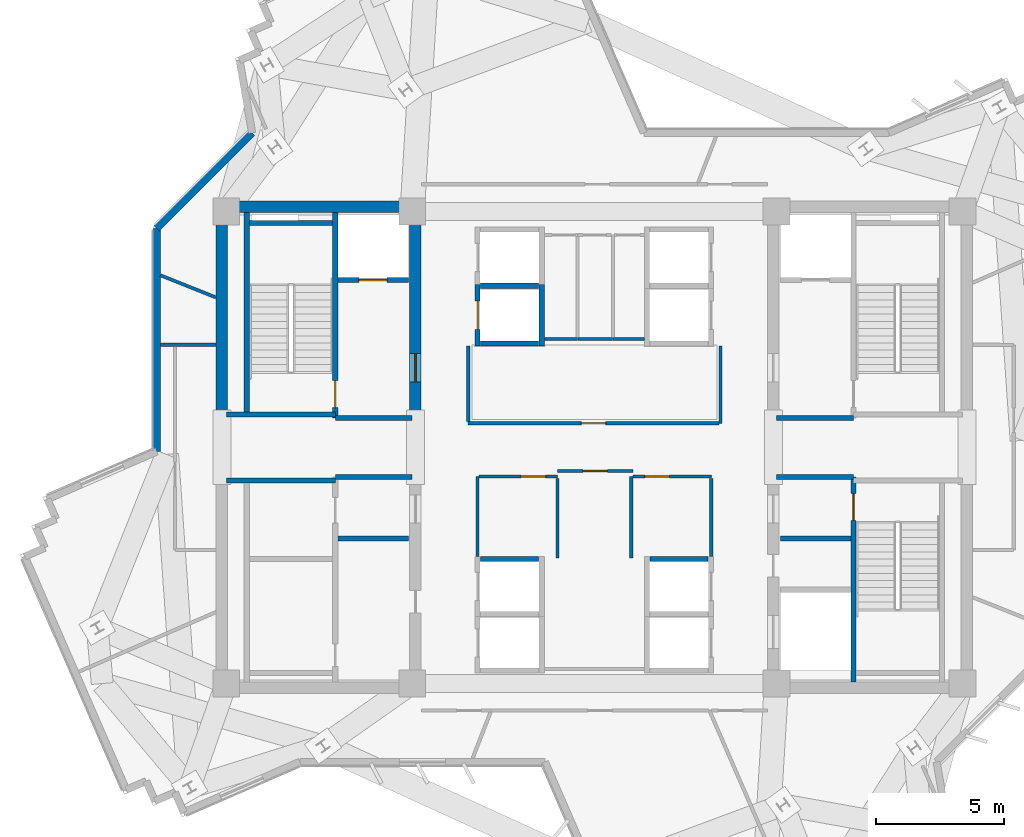
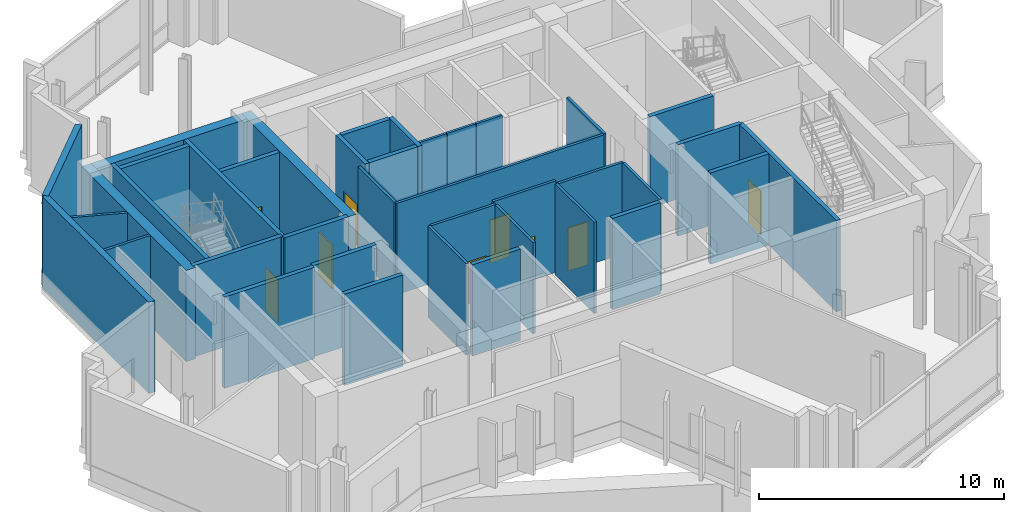
# One storey, part 6 of 11: 39 walls, 9 doors, 9 openings.
"""IFC4 building model written with IfcOpenShell, lengths in metres."""

from ifc_helpers import new_model, si_unit, direction, frame, frame_2d, origin, place, context, subcontext, project, spatial, rectangle, extrude, source, transform, mapped, material, layer, layer_set, type_object, element, fill, save


model = new_model("IFC4")

# Units and contexts
model_context = context("Model", 3, precision=1e-05, world=origin(), true_north=direction((0.0, 1.0)))
body_context = subcontext(model_context, "Body", "Model", "MODEL_VIEW")
ifc_project = project(units=[si_unit("LENGTHUNIT", "METRE"), si_unit("AREAUNIT", "SQUARE_METRE"), si_unit("VOLUMEUNIT", "CUBIC_METRE"), si_unit("PLANEANGLEUNIT", "RADIAN"), si_unit("MASSUNIT", "GRAM", prefix="KILO")], contexts=[model_context])

# Site, building, storey
site_placement = place(None, origin())
site = spatial("IfcSite", under=ifc_project, at=site_placement, CompositionType="ELEMENT")
building_placement = place(site_placement, origin())
building = spatial("IfcBuilding", under=site, at=building_placement, Name="Zahravan Cultural Tower", CompositionType="ELEMENT")
storey_placement = place(building_placement, frame((0.0, 0.0, 234.300048828125)))
storey = spatial("IfcBuildingStorey", under=building, at=storey_placement, Name="L55", CompositionType="ELEMENT", Elevation=234.300048828125)

# Wall, opening, door
ifc_material_1 = material(Name="Concrete C50/60", Category="concrete")
ifc_layer_1 = layer(ifc_material_1, 0.449951171875)
ifc_layer_set_1 = layer_set([ifc_layer_1], Name="Concrete C50/60")
wall_type_1 = type_object("IfcWallType", Name="CW-SHEAR-450-C50", PredefinedType="SHEAR", material=ifc_layer_set_1)
wall_1_placement = place(storey_placement, frame((29.02490234375, 28.050048828125, 0.0), z_axis=(0.0, 0.0, 1.0), x_axis=(0.0, 1.0, 0.0)))
wall_1 = element("IfcWall", 1, at=wall_1_placement, inside=storey, type_object=wall_type_1, Name="L55 Core Shear Wall CW-W-EN-L55", PredefinedType="SHEAR", context=body_context, shape_type="SweptSolid", body=[
    extrude(rectangle(XDim=8.550048828125, YDim=0.449951171875, at=frame_2d((4.27490234375, 0.0))), origin(), (0.0, 0.0, 1.0), 4.550048828125),
])
opening_1_placement = place(wall_1_placement, frame((1.5, 0.0, 0.0)))
opening_1 = element("IfcOpeningElement", 2, at=opening_1_placement, cuts=wall_1, Name="Opening D-L55-06", PredefinedType="OPENING", context=body_context, shape_type="SweptSolid", body=[
    extrude(rectangle(XDim=1.10009765625, YDim=2.199951171875, at=frame_2d((0.550048828125, 1.10009765625))), frame((0.0, 0.23486328125, 0.0), z_axis=(0.0, -1.0, 0.0), x_axis=(1.0, 0.0, 0.0)), (0.0, 0.0, 1.0), 0.469970703125),
])
ifc_material_2 = material(Name="Steel ASTM A572 Grade 50", Category="steel")
door_type_1 = type_object("IfcDoorType", Name="DR-LOBBY-1100", OperationType="NOTDEFINED", PredefinedType="DOOR", material=ifc_material_2)
shared_shape_1 = source(origin(), body_context, "Body", "SweptSolid", [
    extrude(rectangle(XDim=1.10009765625, YDim=2.199951171875, at=frame_2d((0.550048828125, 1.10009765625))), frame((0.0, 0.02490234375, 0.0), z_axis=(0.0, -1.0, 0.0), x_axis=(1.0, 0.0, 0.0)), (0.0, 0.0, 1.0), 0.050048828125),
])
door_1_placement = place(opening_1_placement, origin())
door_1 = element("IfcDoor", 3, at=door_1_placement, inside=storey, type_object=door_type_1, Name="L55 Door D-L55-06", OperationType="SINGLE_SWING_RIGHT", OverallHeight=2.199951171875, OverallWidth=1.10009765625, PredefinedType="DOOR", context=body_context, shape_type="MappedRepresentation", body=[
    mapped(shared_shape_1, transform((0.0, 0.0, 0.0), x_axis=(1.0, 0.0, 0.0), y_axis=(0.0, 1.0, 0.0), z_axis=(0.0, 0.0, 1.0), scale=1.0)),
])
fill(opening_1, door_1)

ifc_material_3 = material(Name="Gypsum plasterboard partition")
ifc_layer_2 = layer(ifc_material_3, 0.125)
ifc_layer_set_2 = layer_set([ifc_layer_2], Name="Gypsum plasterboard partition")
wall_type_2 = type_object("IfcWallType", Name="W-PART-125", PredefinedType="PARTITIONING", material=ifc_layer_set_2)
wall_2_placement = place(storey_placement, frame((31.507568359375, 25.860107421875, 0.0), z_axis=(0.0, 0.0, 1.0), x_axis=(1.0, 0.0, 0.0)))
wall_2 = element("IfcWall", 4, at=wall_2_placement, inside=storey, type_object=wall_type_2, Name="L55 Interior Wall 064", PredefinedType="PARTITIONING", context=body_context, shape_type="SweptSolid", body=[
    extrude(rectangle(XDim=3.052490234375, YDim=0.125, at=frame_2d((1.5263671875, 0.0))), origin(), (0.0, 0.0, 1.0), 4.550048828125),
])
opening_2_placement = place(wall_2_placement, frame((1.639892578125, 0.0, 0.0)))
opening_2 = element("IfcOpeningElement", 5, at=opening_2_placement, cuts=wall_2, Name="Opening D-L55-12", PredefinedType="OPENING", context=body_context, shape_type="SweptSolid", body=[
    extrude(rectangle(XDim=0.949951171875, YDim=2.14990234375, at=frame_2d((0.47509765625, 1.074951171875))), frame((0.0, 0.072509765625, 0.0), z_axis=(0.0, -1.0, 0.0), x_axis=(1.0, 0.0, 0.0)), (0.0, 0.0, 1.0), 0.14501953125),
])
ifc_material_4 = material(Name="Anodised bronze-aluminium mullion", Category="aluminium")
door_type_2 = type_object("IfcDoorType", Name="DR-ROOM-950", OperationType="NOTDEFINED", PredefinedType="DOOR", material=ifc_material_4)
shared_shape_2 = source(origin(), body_context, "Body", "SweptSolid", [
    extrude(rectangle(XDim=0.949951171875, YDim=2.14990234375, at=frame_2d((0.47509765625, 1.074951171875))), frame((0.0, 0.02490234375, 0.0), z_axis=(0.0, -1.0, 0.0), x_axis=(1.0, 0.0, 0.0)), (0.0, 0.0, 1.0), 0.050048828125),
])
door_2_placement = place(opening_2_placement, origin())
door_2 = element("IfcDoor", 6, at=door_2_placement, inside=storey, type_object=door_type_2, Name="L55 Door D-L55-12", OperationType="SINGLE_SWING_RIGHT", OverallHeight=2.14990234375, OverallWidth=0.949951171875, PredefinedType="DOOR", context=body_context, shape_type="MappedRepresentation", body=[
    mapped(shared_shape_2, transform((0.0, 0.0, 0.0), x_axis=(1.0, 0.0, 0.0), y_axis=(0.0, 1.0, 0.0), z_axis=(0.0, 0.0, 1.0), scale=1.0)),
])
fill(opening_2, door_2)

wall_3_placement = place(storey_placement, frame((37.507568359375, 25.860107421875, 0.0), z_axis=(0.0, 0.0, 1.0), x_axis=(1.0, 0.0, 0.0)))
wall_3 = element("IfcWall", 7, at=wall_3_placement, inside=storey, type_object=wall_type_2, Name="L55 Interior Wall 067", PredefinedType="PARTITIONING", context=body_context, shape_type="SweptSolid", body=[
    extrude(rectangle(XDim=3.052490234375, YDim=0.125, at=frame_2d((1.5263671875, 0.0))), origin(), (0.0, 0.0, 1.0), 4.550048828125),
])
opening_3_placement = place(wall_3_placement, frame((0.462646484375, 0.0, 0.0)))
opening_3 = element("IfcOpeningElement", 8, at=opening_3_placement, cuts=wall_3, Name="Opening D-L55-13", PredefinedType="OPENING", context=body_context, shape_type="SweptSolid", body=[
    extrude(rectangle(XDim=0.949951171875, YDim=2.14990234375, at=frame_2d((0.47509765625, 1.074951171875))), frame((0.0, 0.072509765625, 0.0), z_axis=(0.0, -1.0, 0.0), x_axis=(1.0, 0.0, 0.0)), (0.0, 0.0, 1.0), 0.14501953125),
])
door_3_placement = place(opening_3_placement, origin())
door_3 = element("IfcDoor", 9, at=door_3_placement, inside=storey, type_object=door_type_2, Name="L55 Door D-L55-13", OperationType="SINGLE_SWING_LEFT", OverallHeight=2.14990234375, OverallWidth=0.949951171875, PredefinedType="DOOR", context=body_context, shape_type="MappedRepresentation", body=[
    mapped(shared_shape_2, transform((0.0, 0.0, 0.0), x_axis=(1.0, 0.0, 0.0), y_axis=(0.0, 1.0, 0.0), z_axis=(0.0, 0.0, 1.0), scale=1.0)),
])
fill(opening_3, door_3)

wall_4_placement = place(storey_placement, frame((34.56005859375, 26.080078125, 0.0), z_axis=(0.0, 0.0, 1.0), x_axis=(1.0, 0.0, 0.0)))
wall_4 = element("IfcWall", 10, at=wall_4_placement, inside=storey, type_object=wall_type_2, Name="L55 Interior Wall 070", PredefinedType="PARTITIONING", context=body_context, shape_type="SweptSolid", body=[
    extrude(rectangle(XDim=2.947509765625, YDim=0.125, at=frame_2d((1.4736328125, 0.0))), origin(), (0.0, 0.0, 1.0), 4.550048828125),
])
opening_4_placement = place(wall_4_placement, frame((0.998779296875, 0.0, 0.0)))
opening_4 = element("IfcOpeningElement", 11, at=opening_4_placement, cuts=wall_4, Name="Opening D-L55-18", PredefinedType="OPENING", context=body_context, shape_type="SweptSolid", body=[
    extrude(rectangle(XDim=0.949951171875, YDim=2.14990234375, at=frame_2d((0.47509765625, 1.074951171875))), frame((0.0, 0.072509765625, 0.0), z_axis=(0.0, -1.0, 0.0), x_axis=(1.0, 0.0, 0.0)), (0.0, 0.0, 1.0), 0.14501953125),
])
door_4_placement = place(opening_4_placement, origin())
door_4 = element("IfcDoor", 12, at=door_4_placement, inside=storey, type_object=door_type_2, Name="L55 Door D-L55-18", OperationType="SINGLE_SWING_RIGHT", OverallHeight=2.14990234375, OverallWidth=0.949951171875, PredefinedType="DOOR", context=body_context, shape_type="MappedRepresentation", body=[
    mapped(shared_shape_2, transform((0.0, 0.0, 0.0), x_axis=(1.0, 0.0, 0.0), y_axis=(0.0, 1.0, 0.0), z_axis=(0.0, 0.0, 1.0), scale=1.0)),
])
fill(opening_4, door_4)

wall_5_placement = place(storey_placement, frame((40.8525390625, 27.93994140625, 0.0), z_axis=(0.0, 0.0, 1.0), x_axis=(-1.0, 0.0, 0.0)))
wall_5 = element("IfcWall", 13, at=wall_5_placement, inside=storey, type_object=wall_type_2, Name="L55 Interior Wall 072", PredefinedType="PARTITIONING", context=body_context, shape_type="SweptSolid", body=[
    extrude(rectangle(XDim=9.7724609375, YDim=0.125, at=frame_2d((4.88623046875, 0.0))), origin(), (0.0, 0.0, 1.0), 4.550048828125),
])
opening_5_placement = place(wall_5_placement, frame((4.411376953125, 0.0, 0.0)))
opening_5 = element("IfcOpeningElement", 14, at=opening_5_placement, cuts=wall_5, Name="Opening D-L55-17", PredefinedType="OPENING", context=body_context, shape_type="SweptSolid", body=[
    extrude(rectangle(XDim=0.949951171875, YDim=2.14990234375, at=frame_2d((0.47509765625, 1.074951171875))), frame((0.0, 0.072509765625, 0.0), z_axis=(0.0, -1.0, 0.0), x_axis=(1.0, 0.0, 0.0)), (0.0, 0.0, 1.0), 0.14501953125),
])
door_5_placement = place(opening_5_placement, origin())
door_5 = element("IfcDoor", 15, at=door_5_placement, inside=storey, type_object=door_type_2, Name="L55 Door D-L55-17", OperationType="SINGLE_SWING_LEFT", OverallHeight=2.14990234375, OverallWidth=0.949951171875, PredefinedType="DOOR", context=body_context, shape_type="MappedRepresentation", body=[
    mapped(shared_shape_2, transform((0.0, 0.0, 0.0), x_axis=(1.0, 0.0, 0.0), y_axis=(0.0, 1.0, 0.0), z_axis=(0.0, 0.0, 1.0), scale=1.0)),
])
fill(opening_5, door_5)

ifc_material_5 = material(Name="Concrete C45/55", Category="concrete")
ifc_layer_3 = layer(ifc_material_5, 0.199951171875)
ifc_layer_set_3 = layer_set([ifc_layer_3], Name="Concrete C45/55")
wall_type_3 = type_object("IfcWallType", Name="W-SHAFT-200", PredefinedType="SOLIDWALL", material=ifc_layer_set_3)
wall_6_placement = place(storey_placement, frame((25.89990234375, 28.14990234375, 0.0), z_axis=(0.0, 0.0, 1.0), x_axis=(0.0, 1.0, 0.0)))
wall_6 = element("IfcWall", 16, at=wall_6_placement, inside=storey, type_object=wall_type_3, Name="L55 Interior Wall 006", PredefinedType="SOLIDWALL", context=body_context, shape_type="SweptSolid", body=[
    extrude(rectangle(XDim=8.0, YDim=0.199951171875, at=frame_2d((4.0, 0.0))), origin(), (0.0, 0.0, 1.0), 4.550048828125),
])
opening_6_placement = place(wall_6_placement, frame((0.39990234375, 0.0, 0.0)))
opening_6 = element("IfcOpeningElement", 17, at=opening_6_placement, cuts=wall_6, Name="Opening D-L55-01", PredefinedType="OPENING", context=body_context, shape_type="SweptSolid", body=[
    extrude(rectangle(XDim=1.050048828125, YDim=2.14990234375, at=frame_2d((0.52490234375, 1.074951171875))), frame((0.0, 0.10986328125, 0.0), z_axis=(0.0, -1.0, 0.0), x_axis=(1.0, 0.0, 0.0)), (0.0, 0.0, 1.0), 0.219970703125),
])
door_type_3 = type_object("IfcDoorType", Name="DR-STAIR-1050", OperationType="NOTDEFINED", PredefinedType="DOOR", material=ifc_material_2)
shared_shape_3 = source(origin(), body_context, "Body", "SweptSolid", [
    extrude(rectangle(XDim=1.050048828125, YDim=2.14990234375, at=frame_2d((0.52490234375, 1.074951171875))), frame((0.0, 0.02490234375, 0.0), z_axis=(0.0, -1.0, 0.0), x_axis=(1.0, 0.0, 0.0)), (0.0, 0.0, 1.0), 0.050048828125),
])
door_6_placement = place(opening_6_placement, origin())
door_6 = element("IfcDoor", 18, at=door_6_placement, inside=storey, type_object=door_type_3, Name="L55 Door D-L55-01", OperationType="SINGLE_SWING_LEFT", OverallHeight=2.14990234375, OverallWidth=1.050048828125, PredefinedType="DOOR", context=body_context, shape_type="MappedRepresentation", body=[
    mapped(shared_shape_3, transform((0.0, 0.0, 0.0), x_axis=(1.0, 0.0, 0.0), y_axis=(0.0, 1.0, 0.0), z_axis=(0.0, 0.0, 1.0), scale=1.0)),
])
fill(opening_6, door_6)

wall_7_placement = place(storey_placement, frame((46.10009765625, 17.85009765625, 0.0), z_axis=(0.0, 0.0, 1.0), x_axis=(0.0, 1.0, 0.0)))
wall_7 = element("IfcWall", 19, at=wall_7_placement, inside=storey, type_object=wall_type_3, Name="L55 Interior Wall 007", PredefinedType="SOLIDWALL", context=body_context, shape_type="SweptSolid", body=[
    extrude(rectangle(XDim=8.0, YDim=0.199951171875, at=frame_2d((4.0, 0.0))), origin(), (0.0, 0.0, 1.0), 4.550048828125),
])
opening_7_placement = place(wall_7_placement, frame((6.300048828125, 0.0, 0.0)))
opening_7 = element("IfcOpeningElement", 20, at=opening_7_placement, cuts=wall_7, Name="Opening D-L55-03", PredefinedType="OPENING", context=body_context, shape_type="SweptSolid", body=[
    extrude(rectangle(XDim=1.050048828125, YDim=2.14990234375, at=frame_2d((0.52490234375, 1.074951171875))), frame((0.0, 0.10986328125, 0.0), z_axis=(0.0, -1.0, 0.0), x_axis=(1.0, 0.0, 0.0)), (0.0, 0.0, 1.0), 0.219970703125),
])
door_7_placement = place(opening_7_placement, origin())
door_7 = element("IfcDoor", 21, at=door_7_placement, inside=storey, type_object=door_type_3, Name="L55 Door D-L55-03", OperationType="SINGLE_SWING_LEFT", OverallHeight=2.14990234375, OverallWidth=1.050048828125, PredefinedType="DOOR", context=body_context, shape_type="MappedRepresentation", body=[
    mapped(shared_shape_3, transform((0.0, 0.0, 0.0), x_axis=(1.0, 0.0, 0.0), y_axis=(0.0, 1.0, 0.0), z_axis=(0.0, 0.0, 1.0), scale=1.0)),
])
fill(opening_7, door_7)

wall_8_placement = place(storey_placement, frame((26.0, 33.52001953125, 0.0), z_axis=(0.0, 0.0, 1.0), x_axis=(1.0, 0.0, 0.0)))
wall_8 = element("IfcWall", 22, at=wall_8_placement, inside=storey, type_object=wall_type_3, Name="L55 Interior Wall 022", PredefinedType="SOLIDWALL", context=body_context, shape_type="SweptSolid", body=[
    extrude(rectangle(XDim=2.75, YDim=0.199951171875, at=frame_2d((1.375, 0.0))), origin(), (0.0, 0.0, 1.0), 4.550048828125),
])
opening_8_placement = place(wall_8_placement, frame((0.820068359375, 0.0, 0.0)))
opening_8 = element("IfcOpeningElement", 23, at=opening_8_placement, cuts=wall_8, Name="Opening LD-L55-01", PredefinedType="OPENING", context=body_context, shape_type="SweptSolid", body=[
    extrude(rectangle(XDim=1.10009765625, YDim=2.14990234375, at=frame_2d((0.550048828125, 1.074951171875))), frame((0.0, 0.10986328125, 0.0), z_axis=(0.0, -1.0, 0.0), x_axis=(1.0, 0.0, 0.0)), (0.0, 0.0, 1.0), 0.219970703125),
])
door_type_4 = type_object("IfcDoorType", Name="DR-LIFT-1100", OperationType="DOUBLE_DOOR_SLIDING", PredefinedType="DOOR", material=ifc_material_2)
shared_shape_4 = source(origin(), body_context, "Body", "SweptSolid", [
    extrude(rectangle(XDim=1.10009765625, YDim=2.14990234375, at=frame_2d((0.550048828125, 1.074951171875))), frame((0.0, 0.02490234375, 0.0), z_axis=(0.0, -1.0, 0.0), x_axis=(1.0, 0.0, 0.0)), (0.0, 0.0, 1.0), 0.050048828125),
])
door_8_placement = place(opening_8_placement, origin())
door_8 = element("IfcDoor", 24, at=door_8_placement, inside=storey, type_object=door_type_4, Name="L55 Door LD-L55-01", OperationType="DOUBLE_DOOR_SLIDING", OverallHeight=2.14990234375, OverallWidth=1.10009765625, PredefinedType="DOOR", context=body_context, shape_type="MappedRepresentation", body=[
    mapped(shared_shape_4, transform((0.0, 0.0, 0.0), x_axis=(1.0, 0.0, 0.0), y_axis=(0.0, 1.0, 0.0), z_axis=(0.0, 0.0, 1.0), scale=1.0)),
])
fill(opening_8, door_8)

wall_9_placement = place(storey_placement, frame((31.449951171875, 30.949951171875, 0.0), z_axis=(0.0, 0.0, 1.0), x_axis=(0.0, 1.0, 0.0)))
wall_9 = element("IfcWall", 25, at=wall_9_placement, inside=storey, type_object=wall_type_3, Name="L55 Interior Wall 031", PredefinedType="SOLIDWALL", context=body_context, shape_type="SweptSolid", body=[
    extrude(rectangle(XDim=2.400146484375, YDim=0.199951171875, at=frame_2d((1.2001953125, 0.0))), origin(), (0.0, 0.0, 1.0), 4.550048828125),
])
opening_9_placement = place(wall_9_placement, frame((0.64990234375, 0.0, 0.0)))
opening_9 = element("IfcOpeningElement", 26, at=opening_9_placement, cuts=wall_9, Name="Opening LD-L55-05", PredefinedType="OPENING", context=body_context, shape_type="SweptSolid", body=[
    extrude(rectangle(XDim=1.10009765625, YDim=2.14990234375, at=frame_2d((0.550048828125, 1.074951171875))), frame((0.0, 0.10986328125, 0.0), z_axis=(0.0, -1.0, 0.0), x_axis=(1.0, 0.0, 0.0)), (0.0, 0.0, 1.0), 0.219970703125),
])
door_9_placement = place(opening_9_placement, origin())
door_9 = element("IfcDoor", 27, at=door_9_placement, inside=storey, type_object=door_type_4, Name="L55 Door LD-L55-05", OperationType="DOUBLE_DOOR_SLIDING", OverallHeight=2.14990234375, OverallWidth=1.10009765625, PredefinedType="DOOR", context=body_context, shape_type="MappedRepresentation", body=[
    mapped(shared_shape_4, transform((0.0, 0.0, 0.0), x_axis=(1.0, 0.0, 0.0), y_axis=(0.0, 1.0, 0.0), z_axis=(0.0, 0.0, 1.0), scale=1.0)),
])
fill(opening_9, door_9)

# Walls
shared_shape_5 = source(origin(), body_context, "Body", "SweptSolid", [
    extrude(rectangle(XDim=8.550048828125, YDim=0.449951171875, at=frame_2d((4.27490234375, 0.0))), origin(), (0.0, 0.0, 1.0), 4.550048828125),
])
wall_10_placement = place(storey_placement, frame((21.47509765625, 28.050048828125, 0.0), z_axis=(0.0, 0.0, 1.0), x_axis=(0.0, 1.0, 0.0)))
element("IfcWall", 28, at=wall_10_placement, inside=storey, type_object=wall_type_1, Name="L55 Core Shear Wall CW-W-WN-L55", PredefinedType="SHEAR", context=body_context, shape_type="MappedRepresentation", body=[
    mapped(shared_shape_5, transform((0.0, 0.0, 0.0), x_axis=(1.0, 0.0, 0.0), y_axis=(0.0, 1.0, 0.0), z_axis=(0.0, 0.0, 1.0), scale=1.0)),
])
shared_shape_6 = source(origin(), body_context, "Body", "SweptSolid", [
    extrude(rectangle(XDim=7.10009765625, YDim=0.449951171875, at=frame_2d((3.550048828125, 0.0))), origin(), (0.0, 0.0, 1.0), 4.550048828125),
])
wall_11_placement = place(storey_placement, frame((21.699951171875, 36.375, 0.0), z_axis=(0.0, 0.0, 1.0), x_axis=(1.0, 0.0, 0.0)))
element("IfcWall", 29, at=wall_11_placement, inside=storey, type_object=wall_type_1, Name="L55 Core Shear Wall CW-W-N-L55", PredefinedType="SHEAR", context=body_context, shape_type="MappedRepresentation", body=[
    mapped(shared_shape_6, transform((0.0, 0.0, 0.0), x_axis=(1.0, 0.0, 0.0), y_axis=(0.0, 1.0, 0.0), z_axis=(0.0, 0.0, 1.0), scale=1.0)),
])
ifc_material_6 = material(Name="Precast concrete C40/50", Category="concrete")
ifc_layer_4 = layer(ifc_material_6, 0.280029296875)
ifc_layer_set_4 = layer_set([ifc_layer_4], Name="Precast concrete C40/50")
wall_type_4 = type_object("IfcWallType", Name="EW-TC-280", PredefinedType="SOLIDWALL", material=ifc_layer_set_4)
shared_shape_7 = source(origin(), body_context, "Body", "SweptSolid", [
    extrude(rectangle(XDim=8.70263671875, YDim=0.280029296875, at=frame_2d((4.351318359375, 0.0))), origin(), (0.0, 0.0, 1.0), 4.550048828125),
])
wall_12_placement = place(storey_placement, frame((18.93994140625, 26.83935546875, 0.0), z_axis=(0.0, 0.0, 1.0), x_axis=(0.0, 1.0, 0.0)))
element("IfcWall", 30, at=wall_12_placement, inside=storey, type_object=wall_type_4, Name="L55 Exterior Masonry Frame Wall 36", PredefinedType="SOLIDWALL", context=body_context, shape_type="MappedRepresentation", body=[
    mapped(shared_shape_7, transform((0.0, 0.0, 0.0), x_axis=(1.0, 0.0, 0.0), y_axis=(0.0, 1.0, 0.0), z_axis=(0.0, 0.0, 1.0), scale=1.0)),
])
shared_shape_8 = source(origin(), body_context, "Body", "SweptSolid", [
    extrude(rectangle(XDim=5.258056640625, YDim=0.280029296875, at=frame_2d((2.62890625, 0.0))), origin(), (0.0, 0.0, 1.0), 4.550048828125),
])
wall_13_placement = place(storey_placement, frame((18.93994140625, 35.5419921875, 0.0), z_axis=(0.0, 0.0, 1.0), x_axis=(0.707106781187, 0.707106781187, 0.0)))
element("IfcWall", 31, at=wall_13_placement, inside=storey, type_object=wall_type_4, Name="L55 Exterior Masonry Frame Wall 37", PredefinedType="SOLIDWALL", context=body_context, shape_type="MappedRepresentation", body=[
    mapped(shared_shape_8, transform((0.0, 0.0, 0.0), x_axis=(1.0, 0.0, 0.0), y_axis=(0.0, 1.0, 0.0), z_axis=(0.0, 0.0, 1.0), scale=1.0)),
])
shared_shape_9 = source(origin(), body_context, "Body", "SweptSolid", [
    extrude(rectangle(XDim=7.869873046875, YDim=0.199951171875, at=frame_2d((3.93505859375, 0.0))), origin(), (0.0, 0.0, 1.0), 4.550048828125),
])
wall_14_placement = place(storey_placement, frame((22.449951171875, 28.280029296875, 0.0), z_axis=(0.0, 0.0, 1.0), x_axis=(0.0, 1.0, 0.0)))
element("IfcWall", 32, at=wall_14_placement, inside=storey, type_object=wall_type_3, Name="L55 Interior Wall 002", PredefinedType="SOLIDWALL", context=body_context, shape_type="MappedRepresentation", body=[
    mapped(shared_shape_9, transform((0.0, 0.0, 0.0), x_axis=(1.0, 0.0, 0.0), y_axis=(0.0, 1.0, 0.0), z_axis=(0.0, 0.0, 1.0), scale=1.0)),
])
shared_shape_10 = source(origin(), body_context, "Body", "SweptSolid", [
    extrude(rectangle(XDim=4.25, YDim=0.199951171875, at=frame_2d((2.125, 0.0))), origin(), (0.0, 0.0, 1.0), 4.550048828125),
])
for number, where, z_axis, x_axis, name in (
    (33, (21.64990234375, 25.715087890625, 0.0), (0.0, 0.0, 1.0), (1.0, 0.0, 0.0), "L55 Interior Wall 009"),
    (34, (21.64990234375, 28.284912109375, 0.0), (0.0, 0.0, 1.0), (1.0, 0.0, 0.0), "L55 Interior Wall 011"),
):
    element("IfcWall", number, at=place(storey_placement, frame(where, z_axis=z_axis, x_axis=x_axis)), inside=storey, type_object=wall_type_3, Name=name, PredefinedType="SOLIDWALL", context=body_context, shape_type="MappedRepresentation", body=[
        mapped(shared_shape_10, transform((0.0, 0.0, 0.0), x_axis=(1.0, 0.0, 0.0), y_axis=(0.0, 1.0, 0.0), z_axis=(0.0, 0.0, 1.0), scale=1.0)),
    ])
shared_shape_11 = source(origin(), body_context, "Body", "SweptSolid", [
    extrude(rectangle(XDim=3.0, YDim=0.199951171875, at=frame_2d((1.5, 0.0))), origin(), (0.0, 0.0, 1.0), 4.550048828125),
])
for number, where, z_axis, x_axis, name in (
    (35, (25.89990234375, 25.85009765625, 0.0), (0.0, 0.0, 1.0), (1.0, 0.0, 0.0), "L55 Interior Wall 010"),
    (36, (25.89990234375, 28.14990234375, 0.0), (0.0, 0.0, 1.0), (1.0, 0.0, 0.0), "L55 Interior Wall 012"),
    (37, (43.10009765625, 25.85009765625, 0.0), (0.0, 0.0, 1.0), (1.0, 0.0, 0.0), "L55 Interior Wall 013"),
    (38, (43.10009765625, 28.14990234375, 0.0), (0.0, 0.0, 1.0), (1.0, 0.0, 0.0), "L55 Interior Wall 015"),
):
    element("IfcWall", number, at=place(storey_placement, frame(where, z_axis=z_axis, x_axis=x_axis)), inside=storey, type_object=wall_type_3, Name=name, PredefinedType="SOLIDWALL", context=body_context, shape_type="MappedRepresentation", body=[
        mapped(shared_shape_11, transform((0.0, 0.0, 0.0), x_axis=(1.0, 0.0, 0.0), y_axis=(0.0, 1.0, 0.0), z_axis=(0.0, 0.0, 1.0), scale=1.0)),
    ])
shared_shape_12 = source(origin(), body_context, "Body", "SweptSolid", [
    extrude(rectangle(XDim=3.25, YDim=0.199951171875, at=frame_2d((1.625, 0.0))), origin(), (0.0, 0.0, 1.0), 4.550048828125),
])
wall_15_placement = place(storey_placement, frame((22.550048828125, 35.75, 0.0), z_axis=(0.0, 0.0, 1.0), x_axis=(1.0, 0.0, 0.0)))
element("IfcWall", 39, at=wall_15_placement, inside=storey, type_object=wall_type_3, Name="L55 Interior Wall 017", PredefinedType="SOLIDWALL", context=body_context, shape_type="MappedRepresentation", body=[
    mapped(shared_shape_12, transform((0.0, 0.0, 0.0), x_axis=(1.0, 0.0, 0.0), y_axis=(0.0, 1.0, 0.0), z_axis=(0.0, 0.0, 1.0), scale=1.0)),
])
shared_shape_13 = source(origin(), body_context, "Body", "SweptSolid", [
    extrude(rectangle(XDim=2.75, YDim=0.199951171875, at=frame_2d((1.375, 0.0))), origin(), (0.0, 0.0, 1.0), 4.550048828125),
])
for number, where, z_axis, x_axis, name in (
    (40, (26.0, 23.449951171875, 0.0), (0.0, 0.0, 1.0), (1.0, 0.0, 0.0), "L55 Interior Wall 024"),
    (41, (43.25, 23.449951171875, 0.0), (0.0, 0.0, 1.0), (1.0, 0.0, 0.0), "L55 Interior Wall 025"),
):
    element("IfcWall", number, at=place(storey_placement, frame(where, z_axis=z_axis, x_axis=x_axis)), inside=storey, type_object=wall_type_3, Name=name, PredefinedType="SOLIDWALL", context=body_context, shape_type="MappedRepresentation", body=[
        mapped(shared_shape_13, transform((0.0, 0.0, 0.0), x_axis=(1.0, 0.0, 0.0), y_axis=(0.0, 1.0, 0.0), z_axis=(0.0, 0.0, 1.0), scale=1.0)),
    ])
shared_shape_14 = source(origin(), body_context, "Body", "SweptSolid", [
    extrude(rectangle(XDim=2.400146484375, YDim=0.199951171875, at=frame_2d((1.2001953125, 0.0))), origin(), (0.0, 0.0, 1.0), 4.550048828125),
])
wall_16_placement = place(storey_placement, frame((33.949951171875, 30.949951171875, 0.0), z_axis=(0.0, 0.0, 1.0), x_axis=(0.0, 1.0, 0.0)))
element("IfcWall", 42, at=wall_16_placement, inside=storey, type_object=wall_type_3, Name="L55 Interior Wall 032", PredefinedType="SOLIDWALL", context=body_context, shape_type="MappedRepresentation", body=[
    mapped(shared_shape_14, transform((0.0, 0.0, 0.0), x_axis=(1.0, 0.0, 0.0), y_axis=(0.0, 1.0, 0.0), z_axis=(0.0, 0.0, 1.0), scale=1.0)),
])
shared_shape_15 = source(origin(), body_context, "Body", "SweptSolid", [
    extrude(rectangle(XDim=2.260009765625, YDim=0.199951171875, at=frame_2d((1.1298828125, 0.0))), origin(), (0.0, 0.0, 1.0), 4.550048828125),
])
for number, where, z_axis, x_axis, name in (
    (43, (31.570068359375, 33.300048828125, 0.0), (0.0, 0.0, 1.0), (1.0, 0.0, 0.0), "L55 Interior Wall 029"),
    (44, (31.570068359375, 31.050048828125, 0.0), (0.0, 0.0, 1.0), (1.0, 0.0, 0.0), "L55 Interior Wall 033"),
    (45, (31.570068359375, 22.64990234375, 0.0), (0.0, 0.0, 1.0), (1.0, 0.0, 0.0), "L55 Interior Wall 044"),
    (46, (38.169921875, 22.64990234375, 0.0), (0.0, 0.0, 1.0), (1.0, 0.0, 0.0), "L55 Interior Wall 051"),
):
    element("IfcWall", number, at=place(storey_placement, frame(where, z_axis=z_axis, x_axis=x_axis)), inside=storey, type_object=wall_type_3, Name=name, PredefinedType="SOLIDWALL", context=body_context, shape_type="MappedRepresentation", body=[
        mapped(shared_shape_15, transform((0.0, 0.0, 0.0), x_axis=(1.0, 0.0, 0.0), y_axis=(0.0, 1.0, 0.0), z_axis=(0.0, 0.0, 1.0), scale=1.0)),
    ])
ifc_layer_5 = layer(ifc_material_3, 0.114990234375)
ifc_layer_set_5 = layer_set([ifc_layer_5], Name="Gypsum plasterboard partition")
wall_type_5 = type_object("IfcWallType", Name="W-WC-115", PredefinedType="PARTITIONING", material=ifc_layer_set_5)
shared_shape_16 = source(origin(), body_context, "Body", "SweptSolid", [
    extrude(rectangle(XDim=1.22509765625, YDim=0.114990234375, at=frame_2d((0.612548828125, 0.0))), origin(), (0.0, 0.0, 1.0), 4.550048828125),
])
wall_17_placement = place(storey_placement, frame((37.945068359375, 31.219970703125, 0.0), z_axis=(0.0, 0.0, 1.0), x_axis=(-1.0, 0.0, 0.0)))
element("IfcWall", 47, at=wall_17_placement, inside=storey, type_object=wall_type_5, Name="L55 Interior Wall 055", PredefinedType="PARTITIONING", context=body_context, shape_type="MappedRepresentation", body=[
    mapped(shared_shape_16, transform((0.0, 0.0, 0.0), x_axis=(1.0, 0.0, 0.0), y_axis=(0.0, 1.0, 0.0), z_axis=(0.0, 0.0, 1.0), scale=1.0)),
])
shared_shape_17 = source(origin(), body_context, "Body", "SweptSolid", [
    extrude(rectangle(XDim=1.28515625, YDim=0.114990234375, at=frame_2d((0.642578125, 0.0))), origin(), (0.0, 0.0, 1.0), 4.550048828125),
])
wall_18_placement = place(storey_placement, frame((35.340087890625, 31.219970703125, 0.0), z_axis=(0.0, 0.0, 1.0), x_axis=(-1.0, 0.0, 0.0)))
element("IfcWall", 48, at=wall_18_placement, inside=storey, type_object=wall_type_5, Name="L55 Interior Wall 058", PredefinedType="PARTITIONING", context=body_context, shape_type="MappedRepresentation", body=[
    mapped(shared_shape_17, transform((0.0, 0.0, 0.0), x_axis=(1.0, 0.0, 0.0), y_axis=(0.0, 1.0, 0.0), z_axis=(0.0, 0.0, 1.0), scale=1.0)),
])
shared_shape_18 = source(origin(), body_context, "Body", "SweptSolid", [
    extrude(rectangle(XDim=1.33984375, YDim=0.114990234375, at=frame_2d((0.669921875, 0.0))), origin(), (0.0, 0.0, 1.0), 4.550048828125),
])
wall_19_placement = place(storey_placement, frame((36.699951171875, 31.219970703125, 0.0), z_axis=(0.0, 0.0, 1.0), x_axis=(-1.0, 0.0, 0.0)))
element("IfcWall", 49, at=wall_19_placement, inside=storey, type_object=wall_type_5, Name="L55 Interior Wall 061", PredefinedType="PARTITIONING", context=body_context, shape_type="MappedRepresentation", body=[
    mapped(shared_shape_18, transform((0.0, 0.0, 0.0), x_axis=(1.0, 0.0, 0.0), y_axis=(0.0, 1.0, 0.0), z_axis=(0.0, 0.0, 1.0), scale=1.0)),
])
shared_shape_19 = source(origin(), body_context, "Body", "SweptSolid", [
    extrude(rectangle(XDim=3.110107421875, YDim=0.125, at=frame_2d((1.55517578125, 0.0))), origin(), (0.0, 0.0, 1.0), 4.550048828125),
])
wall_20_placement = place(storey_placement, frame((31.43994140625, 22.75, 0.0), z_axis=(0.0, 0.0, 1.0), x_axis=(0.0, 1.0, 0.0)))
element("IfcWall", 50, at=wall_20_placement, inside=storey, type_object=wall_type_2, Name="L55 Interior Wall 063", PredefinedType="PARTITIONING", context=body_context, shape_type="MappedRepresentation", body=[
    mapped(shared_shape_19, transform((0.0, 0.0, 0.0), x_axis=(1.0, 0.0, 0.0), y_axis=(0.0, 1.0, 0.0), z_axis=(0.0, 0.0, 1.0), scale=1.0)),
])
shared_shape_20 = source(origin(), body_context, "Body", "SweptSolid", [
    extrude(rectangle(XDim=3.1025390625, YDim=0.125, at=frame_2d((1.55126953125, 0.0))), origin(), (0.0, 0.0, 1.0), 4.550048828125),
])
wall_21_placement = place(storey_placement, frame((34.56005859375, 25.79248046875, 0.0), z_axis=(0.0, 0.0, 1.0), x_axis=(0.0, -1.0, 0.0)))
element("IfcWall", 51, at=wall_21_placement, inside=storey, type_object=wall_type_2, Name="L55 Interior Wall 065", PredefinedType="PARTITIONING", context=body_context, shape_type="MappedRepresentation", body=[
    mapped(shared_shape_20, transform((0.0, 0.0, 0.0), x_axis=(1.0, 0.0, 0.0), y_axis=(0.0, 1.0, 0.0), z_axis=(0.0, 0.0, 1.0), scale=1.0)),
])
shared_shape_21 = source(origin(), body_context, "Body", "SweptSolid", [
    extrude(rectangle(XDim=3.170166015625, YDim=0.125, at=frame_2d((1.5849609375, 0.0))), origin(), (0.0, 0.0, 1.0), 4.550048828125),
])
wall_22_placement = place(storey_placement, frame((37.43994140625, 22.68994140625, 0.0), z_axis=(0.0, 0.0, 1.0), x_axis=(0.0, 1.0, 0.0)))
element("IfcWall", 52, at=wall_22_placement, inside=storey, type_object=wall_type_2, Name="L55 Interior Wall 066", PredefinedType="PARTITIONING", context=body_context, shape_type="MappedRepresentation", body=[
    mapped(shared_shape_21, transform((0.0, 0.0, 0.0), x_axis=(1.0, 0.0, 0.0), y_axis=(0.0, 1.0, 0.0), z_axis=(0.0, 0.0, 1.0), scale=1.0)),
])
shared_shape_22 = source(origin(), body_context, "Body", "SweptSolid", [
    extrude(rectangle(XDim=3.04248046875, YDim=0.125, at=frame_2d((1.521240234375, 0.0))), origin(), (0.0, 0.0, 1.0), 4.550048828125),
])
wall_23_placement = place(storey_placement, frame((40.56005859375, 25.79248046875, 0.0), z_axis=(0.0, 0.0, 1.0), x_axis=(0.0, -1.0, 0.0)))
element("IfcWall", 53, at=wall_23_placement, inside=storey, type_object=wall_type_2, Name="L55 Interior Wall 068", PredefinedType="PARTITIONING", context=body_context, shape_type="MappedRepresentation", body=[
    mapped(shared_shape_22, transform((0.0, 0.0, 0.0), x_axis=(1.0, 0.0, 0.0), y_axis=(0.0, 1.0, 0.0), z_axis=(0.0, 0.0, 1.0), scale=1.0)),
])
shared_shape_23 = source(origin(), body_context, "Body", "SweptSolid", [
    extrude(rectangle(XDim=3.010009765625, YDim=0.125, at=frame_2d((1.5048828125, 0.0))), origin(), (0.0, 0.0, 1.0), 4.550048828125),
])
wall_24_placement = place(storey_placement, frame((40.919921875, 30.949951171875, 0.0), z_axis=(0.0, 0.0, 1.0), x_axis=(0.0, -1.0, 0.0)))
element("IfcWall", 54, at=wall_24_placement, inside=storey, type_object=wall_type_2, Name="L55 Interior Wall 071", PredefinedType="PARTITIONING", context=body_context, shape_type="MappedRepresentation", body=[
    mapped(shared_shape_23, transform((0.0, 0.0, 0.0), x_axis=(1.0, 0.0, 0.0), y_axis=(0.0, 1.0, 0.0), z_axis=(0.0, 0.0, 1.0), scale=1.0)),
])
shared_shape_24 = source(origin(), body_context, "Body", "SweptSolid", [
    extrude(rectangle(XDim=2.9423828125, YDim=0.125, at=frame_2d((1.47119140625, 0.0))), origin(), (0.0, 0.0, 1.0), 4.550048828125),
])
wall_25_placement = place(storey_placement, frame((31.080078125, 28.007568359375, 0.0), z_axis=(0.0, 0.0, 1.0), x_axis=(0.0, 1.0, 0.0)))
element("IfcWall", 55, at=wall_25_placement, inside=storey, type_object=wall_type_2, Name="L55 Interior Wall 073", PredefinedType="PARTITIONING", context=body_context, shape_type="MappedRepresentation", body=[
    mapped(shared_shape_24, transform((0.0, 0.0, 0.0), x_axis=(1.0, 0.0, 0.0), y_axis=(0.0, 1.0, 0.0), z_axis=(0.0, 0.0, 1.0), scale=1.0)),
])
shared_shape_25 = source(origin(), body_context, "Body", "SweptSolid", [
    extrude(rectangle(XDim=2.32568359375, YDim=0.125, at=frame_2d((1.162841796875, 0.0))), origin(), (0.0, 0.0, 1.0), 4.550048828125),
])
wall_26_placement = place(storey_placement, frame((19.0849609375, 33.7080078125, 0.0), z_axis=(0.0, 0.0, 1.0), x_axis=(0.928809338362, -0.370557975183, 0.0)))
element("IfcWall", 56, at=wall_26_placement, inside=storey, type_object=wall_type_2, Name="L55 Interior Wall 082", PredefinedType="PARTITIONING", context=body_context, shape_type="MappedRepresentation", body=[
    mapped(shared_shape_25, transform((0.0, 0.0, 0.0), x_axis=(1.0, 0.0, 0.0), y_axis=(0.0, 1.0, 0.0), z_axis=(0.0, 0.0, 1.0), scale=1.0)),
])
shared_shape_26 = source(origin(), body_context, "Body", "SweptSolid", [
    extrude(rectangle(XDim=2.1650390625, YDim=0.125, at=frame_2d((1.08251953125, 0.0))), origin(), (0.0, 0.0, 1.0), 4.550048828125),
])
wall_27_placement = place(storey_placement, frame((21.2451171875, 31.0, 0.0), z_axis=(0.0, 0.0, 1.0), x_axis=(-0.999999771113, -0.000676589832, 0.0)))
element("IfcWall", 57, at=wall_27_placement, inside=storey, type_object=wall_type_2, Name="L55 Interior Wall 083", PredefinedType="PARTITIONING", context=body_context, shape_type="MappedRepresentation", body=[
    mapped(shared_shape_26, transform((0.0, 0.0, 0.0), x_axis=(1.0, 0.0, 0.0), y_axis=(0.0, 1.0, 0.0), z_axis=(0.0, 0.0, 1.0), scale=1.0)),
])

save(model, "model.ifc")
